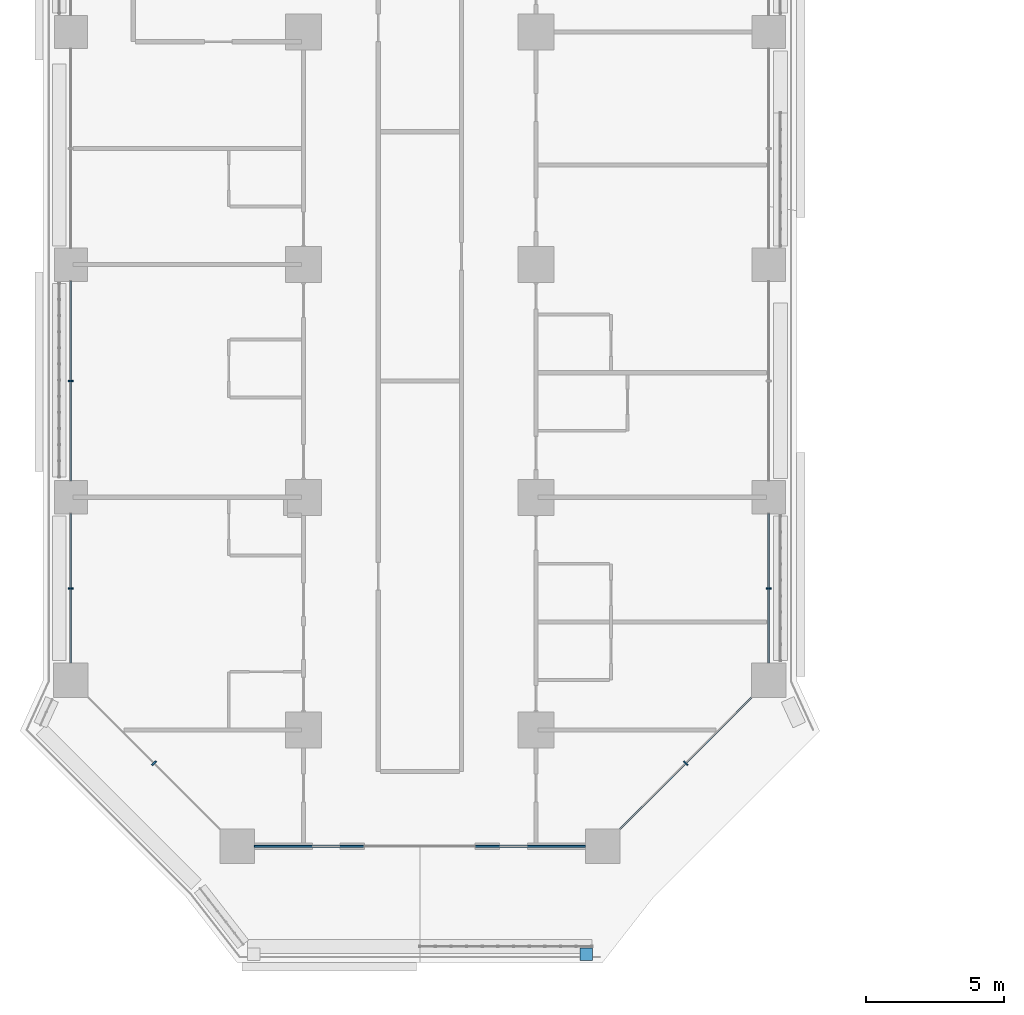
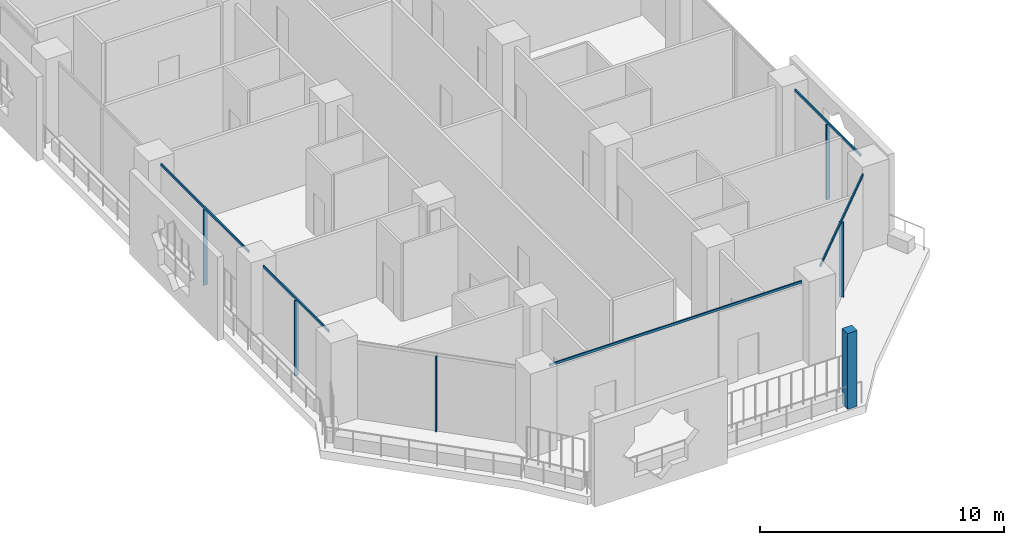
# One storey, part 2 of 28: 11 members, 6 elements without a shape of their own.
"""IFC4 building model written with IfcOpenShell, lengths in metres."""

from ifc_helpers import new_model, si_unit, direction, frame, origin, origin_2d, place, context, subcontext, project, spatial, rectangle, extrude, material, layer, layer_set, material_profile, profile_set, type_object, element, aggregate, save


model = new_model("IFC4")

# Units and contexts
model_context = context("Model", 3, precision=1e-05, world=origin(), true_north=direction((0.0, 1.0)))
body_context = subcontext(model_context, "Body", "Model", "MODEL_VIEW")
ifc_project = project(units=[si_unit("LENGTHUNIT", "METRE"), si_unit("AREAUNIT", "SQUARE_METRE"), si_unit("VOLUMEUNIT", "CUBIC_METRE"), si_unit("PLANEANGLEUNIT", "RADIAN"), si_unit("MASSUNIT", "GRAM", prefix="KILO")], contexts=[model_context])

# Site, building, storey
site_placement = place(None, origin())
site = spatial("IfcSite", under=ifc_project, at=site_placement, CompositionType="ELEMENT")
building_placement = place(site_placement, origin())
building = spatial("IfcBuilding", under=site, at=building_placement, Name="Kawkab Arch Medical Tower", CompositionType="ELEMENT")
storey_placement = place(building_placement, frame((0.0, 0.0, 77.0)))
storey = spatial("IfcBuildingStorey", under=building, at=storey_placement, Name="L17", CompositionType="ELEMENT", Elevation=77.0)

# Curtain wall, members
ifc_material_1 = material(Name="Bronze anodised aluminium curtain wall frame", Category="aluminium")
ifc_layer_1 = layer(ifc_material_1, 0.159912109375)
ifc_layer_set_1 = layer_set([ifc_layer_1], Name="Bronze anodised aluminium curtain wall frame")
curtain_wall_type_1 = type_object("IfcCurtainWallType", Name="CW1 ward curtain wall", PredefinedType="NOTDEFINED", material=ifc_layer_set_1)
placement = place(storey_placement, origin())
curtain_wall_1 = element("IfcCurtainWall", 1, at=placement, inside=storey, type_object=curtain_wall_type_1, Name="CW1 Ward curtain wall R01", PredefinedType="NOTDEFINED")
ifc_material_2 = material(Name="Bronze anodised aluminium curtain wall frame", Category="aluminium")
ifc_material_profile_1 = material_profile(ifc_material_2, rectangle(XDim=0.179931640625, YDim=0.06005859375, at=origin_2d()), Name="AL 60x180")
ifc_profile_set_1 = profile_set([ifc_material_profile_1], Name="Bronze anodised aluminium curtain wall frame")
member_type_1 = type_object("IfcMemberType", Name="CW1 mullion 60 x 180", PredefinedType="MULLION", material=ifc_profile_set_1)
member_1_placement = place(storey_placement, frame((0.0, -54.60009765625, 0.0), z_axis=(0.0, 0.0, 1.0), x_axis=(1.0, 0.0, 0.0)))
member_1 = element("IfcMember", 2, at=member_1_placement, type_object=member_type_1, Name="CW1 mullion 6.1", PredefinedType="MULLION", context=body_context, shape_type="SweptSolid", body=[
    extrude(rectangle(XDim=0.179931640625, YDim=0.06005859375, at=origin_2d()), origin(), (0.0, 0.0, 1.0), 3.780029296875),
])
member_2_placement = place(storey_placement, frame((0.0, -62.08740234375, 0.0), z_axis=(0.0, 0.0, 1.0), x_axis=(1.0, 0.0, 0.0)))
member_2 = element("IfcMember", 3, at=member_2_placement, type_object=member_type_1, Name="CW1 mullion 7.1", PredefinedType="MULLION", context=body_context, shape_type="SweptSolid", body=[
    extrude(rectangle(XDim=0.179931640625, YDim=0.06005859375, at=origin_2d()), origin(), (0.0, 0.0, 1.0), 3.780029296875),
])

# Curtain wall, member
curtain_wall_2 = element("IfcCurtainWall", 4, at=placement, inside=storey, type_object=curtain_wall_type_1, Name="CW1 Ward curtain wall R05", PredefinedType="NOTDEFINED")
member_3_placement = place(storey_placement, frame((25.199951171875, -62.08740234375, 0.0), z_axis=(0.0, 0.0, 1.0), x_axis=(-1.0, 0.0, 0.0)))
member_3 = element("IfcMember", 5, at=member_3_placement, type_object=member_type_1, Name="CW1 mullion 1.1", PredefinedType="MULLION", context=body_context, shape_type="SweptSolid", body=[
    extrude(rectangle(XDim=0.179931640625, YDim=0.06005859375, at=origin_2d()), origin(), (0.0, 0.0, 1.0), 3.780029296875),
])

# Member
ifc_material_3 = material(Name="Bronze anodised aluminium curtain wall frame", Category="aluminium")
ifc_material_profile_2 = material_profile(ifc_material_3, rectangle(XDim=0.06005859375, YDim=0.1201171875, at=origin_2d()), Name="AL 60x120")
ifc_profile_set_2 = profile_set([ifc_material_profile_2], Name="Bronze anodised aluminium curtain wall frame")
member_type_2 = type_object("IfcMemberType", Name="CW1 transom 120 x 60", PredefinedType="USERDEFINED", material=ifc_profile_set_2)
member_4_placement = place(storey_placement, frame((0.0, -51.0, 3.840087890625), z_axis=(0.0, -1.0, 0.0), x_axis=(1.0, 0.0, 0.0)))
member_4 = element("IfcMember", 6, at=member_4_placement, type_object=member_type_2, Name="CW1 transom 6", ObjectType="TRANSOM", PredefinedType="USERDEFINED", context=body_context, shape_type="SweptSolid", body=[
    extrude(rectangle(XDim=0.06005859375, YDim=0.1201171875, at=origin_2d()), origin(), (0.0, 0.0, 1.0), 7.199951171875),
])

member_5_placement = place(storey_placement, frame((0.0, -59.39990234375, 3.840087890625), z_axis=(0.0, -1.0, 0.0), x_axis=(1.0, 0.0, 0.0)))
member_5 = element("IfcMember", 7, at=member_5_placement, type_object=member_type_2, Name="CW1 transom 7", ObjectType="TRANSOM", PredefinedType="USERDEFINED", context=body_context, shape_type="SweptSolid", body=[
    extrude(rectangle(XDim=0.06005859375, YDim=0.1201171875, at=origin_2d()), origin(), (0.0, 0.0, 1.0), 5.375),
])

aggregate(curtain_wall_1, [member_4, member_1, member_5, member_2])

# Curtain wall, member
curtain_wall_3 = element("IfcCurtainWall", 8, at=placement, inside=storey, type_object=curtain_wall_type_1, Name="CW1 Ward curtain wall R03", PredefinedType="NOTDEFINED")
member_6_placement = place(storey_placement, frame((6.625, -71.39990234375, 3.840087890625), z_axis=(1.0, 0.0, 0.0), x_axis=(0.0, 1.0, 0.0)))
member_6 = element("IfcMember", 9, at=member_6_placement, type_object=member_type_2, Name="CW1 transom 1", ObjectType="TRANSOM", PredefinedType="USERDEFINED", context=body_context, shape_type="SweptSolid", body=[
    extrude(rectangle(XDim=0.06005859375, YDim=0.1201171875, at=origin_2d()), origin(), (0.0, 0.0, 1.0), 11.949951171875),
])
aggregate(curtain_wall_3, [member_6])

# Member
member_7_placement = place(storey_placement, frame((25.199951171875, -64.77490234375, 3.840087890625), z_axis=(0.0, 1.0, 0.0), x_axis=(-1.0, 0.0, 0.0)))
member_7 = element("IfcMember", 10, at=member_7_placement, type_object=member_type_2, Name="CW1 transom 1", ObjectType="TRANSOM", PredefinedType="USERDEFINED", context=body_context, shape_type="SweptSolid", body=[
    extrude(rectangle(XDim=0.06005859375, YDim=0.1201171875, at=origin_2d()), origin(), (0.0, 0.0, 1.0), 5.375),
])

aggregate(curtain_wall_2, [member_7, member_3])

# Curtain wall, member
ifc_material_4 = material(Name="Bronze anodised aluminium curtain wall frame", Category="aluminium")
ifc_layer_2 = layer(ifc_material_4, 0.159912109375)
ifc_layer_set_2 = layer_set([ifc_layer_2], Name="Bronze anodised aluminium curtain wall frame")
curtain_wall_type_2 = type_object("IfcCurtainWallType", Name="CW2 chamfer curtain wall", PredefinedType="NOTDEFINED", material=ifc_layer_set_2)
curtain_wall_4 = element("IfcCurtainWall", 11, at=placement, inside=storey, type_object=curtain_wall_type_2, Name="CW2 Chamfer curtain wall R02", PredefinedType="NOTDEFINED")
ifc_material_5 = material(Name="Bronze anodised aluminium curtain wall frame", Category="aluminium")
ifc_material_profile_3 = material_profile(ifc_material_5, rectangle(XDim=0.199951171875, YDim=0.06005859375, at=origin_2d()), Name="AL 60x200")
ifc_profile_set_3 = profile_set([ifc_material_profile_3], Name="Bronze anodised aluminium curtain wall frame")
member_type_3 = type_object("IfcMemberType", Name="CW2 mullion 60 x 200", PredefinedType="MULLION", material=ifc_profile_set_3)
member_8_placement = place(storey_placement, frame((3.0, -68.39990234375, 0.0), z_axis=(0.0, 0.0, 1.0), x_axis=(0.707106781187, 0.707106781187, 0.0)))
member_8 = element("IfcMember", 12, at=member_8_placement, type_object=member_type_3, Name="CW2 mullion 1.1", PredefinedType="MULLION", context=body_context, shape_type="SweptSolid", body=[
    extrude(rectangle(XDim=0.199951171875, YDim=0.06005859375, at=origin_2d()), origin(), (0.0, 0.0, 1.0), 3.760009765625),
])
aggregate(curtain_wall_4, [member_8])

# Curtain wall, members
curtain_wall_5 = element("IfcCurtainWall", 13, at=placement, inside=storey, type_object=curtain_wall_type_2, Name="CW2 Chamfer curtain wall R04", PredefinedType="NOTDEFINED")
member_9_placement = place(storey_placement, frame((22.199951171875, -68.39990234375, 0.0), z_axis=(0.0, 0.0, 1.0), x_axis=(-0.707106781187, 0.707106781187, 0.0)))
member_9 = element("IfcMember", 14, at=member_9_placement, type_object=member_type_3, Name="CW2 mullion 1.1", PredefinedType="MULLION", context=body_context, shape_type="SweptSolid", body=[
    extrude(rectangle(XDim=0.199951171875, YDim=0.06005859375, at=origin_2d()), origin(), (0.0, 0.0, 1.0), 3.760009765625),
])
ifc_material_6 = material(Name="Bronze anodised aluminium curtain wall frame", Category="aluminium")
ifc_material_profile_4 = material_profile(ifc_material_6, rectangle(XDim=0.06005859375, YDim=0.139892578125, at=origin_2d()), Name="AL 60x140")
ifc_profile_set_4 = profile_set([ifc_material_profile_4], Name="Bronze anodised aluminium curtain wall frame")
member_type_4 = type_object("IfcMemberType", Name="CW2 transom 140 x 60", PredefinedType="USERDEFINED", material=ifc_profile_set_4)
member_10_placement = place(storey_placement, frame((19.824951171875, -70.77490234375, 3.830078125), z_axis=(0.707106781187, 0.707106781187, 0.0), x_axis=(-0.707106781187, 0.707106781187, 0.0)))
member_10 = element("IfcMember", 15, at=member_10_placement, type_object=member_type_4, Name="CW2 transom 1", ObjectType="TRANSOM", PredefinedType="USERDEFINED", context=body_context, shape_type="SweptSolid", body=[
    extrude(rectangle(XDim=0.06005859375, YDim=0.139892578125, at=origin_2d()), origin(), (0.0, 0.0, 1.0), 6.717529296875),
])
aggregate(curtain_wall_5, [member_10, member_9])

# Curtain wall, member
ifc_material_7 = material(Name="Bronze anodised aluminium climber frame, planted", Category="aluminium")
ifc_layer_3 = layer(ifc_material_7, 0.449951171875)
ifc_layer_set_3 = layer_set([ifc_layer_3], Name="Bronze anodised aluminium climber frame, planted")
curtain_wall_type_3 = type_object("IfcCurtainWallType", Name="Planted climber frame", PredefinedType="NOTDEFINED", material=ifc_layer_set_3)
curtain_wall_6 = element("IfcCurtainWall", 16, at=placement, inside=storey, type_object=curtain_wall_type_3, Name="Planted climber frame L17", PredefinedType="NOTDEFINED")
ifc_material_8 = material(Name="Bronze anodised aluminium climber frame, planted", Category="aluminium")
ifc_material_profile_5 = material_profile(ifc_material_8, rectangle(XDim=0.449951171875, YDim=0.449951171875, at=origin_2d()), Name="Post 450x450")
ifc_profile_set_5 = profile_set([ifc_material_profile_5], Name="Bronze anodised aluminium climber frame, planted")
member_type_5 = type_object("IfcMemberType", Name="Planted climber post 450 x 450", PredefinedType="MULLION", material=ifc_profile_set_5)
member_11_placement = place(storey_placement, frame((18.60302734375, -75.300048828125, 0.0), z_axis=(0.0, 0.0, 1.0), x_axis=(1.0, 0.0, 0.0)))
member_11 = element("IfcMember", 17, at=member_11_placement, type_object=member_type_5, Name="Planted climber post L17.LOG-01-01.1", PredefinedType="MULLION", context=body_context, shape_type="SweptSolid", body=[
    extrude(rectangle(XDim=0.449951171875, YDim=0.449951171875, at=origin_2d()), origin(), (0.0, 0.0, 1.0), 3.800048828125),
])
aggregate(curtain_wall_6, [member_11])

save(model, "model.ifc")
